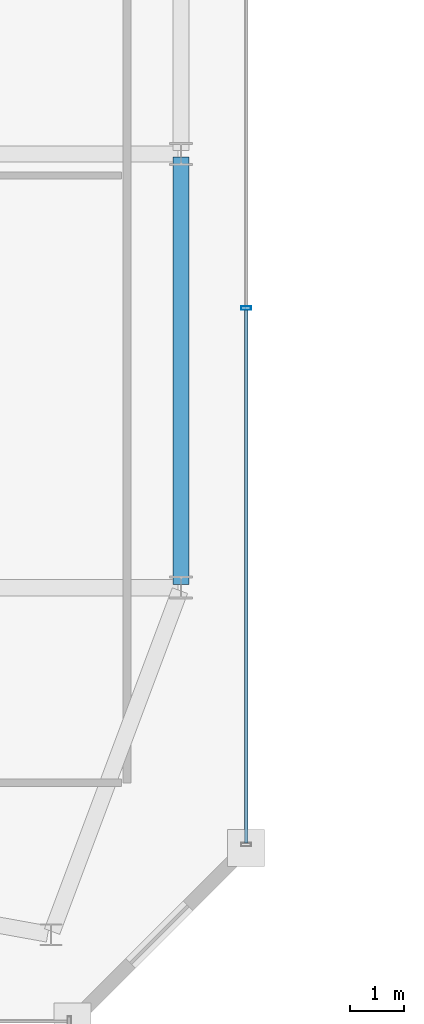
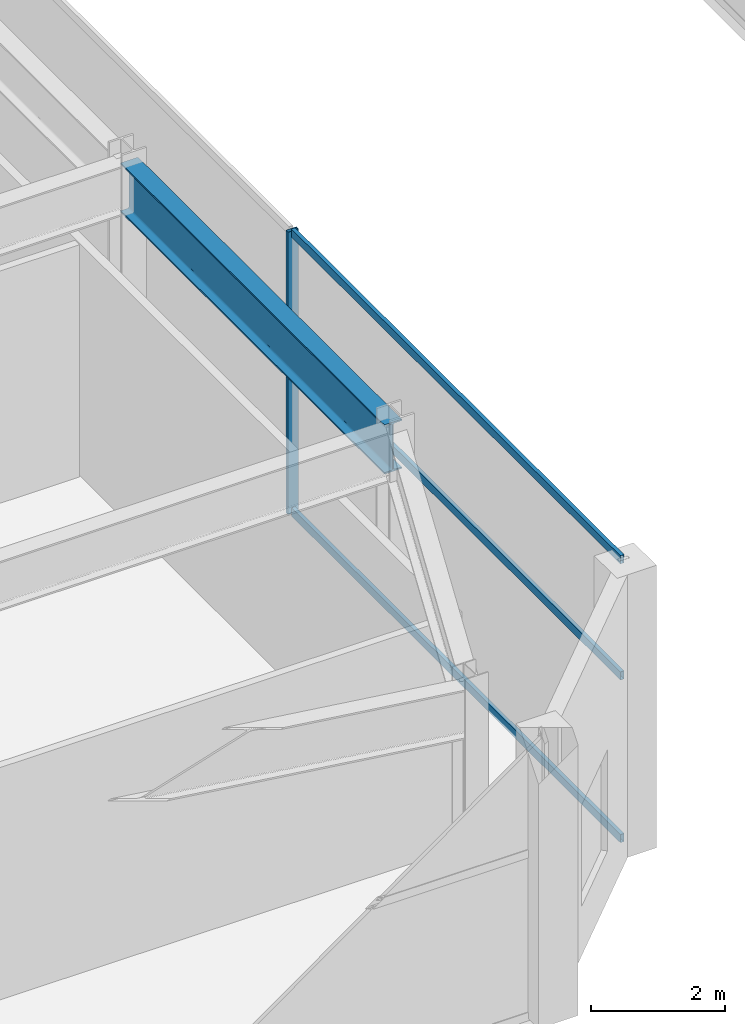
# One storey, part 18 of 53: 4 members, 1 beam, 1 element without a shape of its own.
"""IFC4 building model written with IfcOpenShell, lengths in metres."""

from ifc_helpers import new_model, si_unit, direction, frame, origin, origin_2d, place, context, subcontext, project, spatial, hollow_rectangle, i_section, extrude, material, material_profile, profile_set, type_object, element, aggregate, save


model = new_model("IFC4")

# Units and contexts
model_context = context("Model", 3, precision=1e-05, world=origin(), true_north=direction((0.0, 1.0)))
body_context = subcontext(model_context, "Body", "Model", "MODEL_VIEW")
ifc_project = project(units=[si_unit("LENGTHUNIT", "METRE"), si_unit("AREAUNIT", "SQUARE_METRE"), si_unit("VOLUMEUNIT", "CUBIC_METRE"), si_unit("PLANEANGLEUNIT", "RADIAN"), si_unit("MASSUNIT", "GRAM", prefix="KILO")], contexts=[model_context])

# Site, building, storey
site_placement = place(None, origin())
site = spatial("IfcSite", under=ifc_project, at=site_placement, CompositionType="ELEMENT")
building_placement = place(site_placement, origin())
building = spatial("IfcBuilding", under=site, at=building_placement, Name="Saevonmaru Cultural Tower", CompositionType="ELEMENT")
storey_placement = place(building_placement, frame((0.0, 0.0, 22.199951171875)))
storey = spatial("IfcBuildingStorey", under=building, at=storey_placement, Name="L04", CompositionType="ELEMENT", Elevation=22.199951171875)

# Beam
ifc_material_1 = material(Name="Steel SM420", Category="steel")
ifc_material_profile_1 = material_profile(ifc_material_1, i_section(OverallWidth=0.300048828125, OverallDepth=0.89990234375, WebThickness=0.01611328125, FlangeThickness=0.028076171875, FilletRadius=0.028076171875, at=origin_2d()), Name="H-900x300x16x28")
ifc_profile_set_1 = profile_set([ifc_material_profile_1], Name="Steel SM420")
beam_type = type_object("IfcBeamType", Name="BM-G-H900", PredefinedType="BEAM", material=ifc_profile_set_1)
beam_placement = place(storey_placement, frame((58.800048828125, 8.06005859375, 4.699951171875), z_axis=(0.0, 1.0, 0.0), x_axis=(-1.0, 0.0, 0.0)))
element("IfcBeam", 1, at=beam_placement, inside=storey, type_object=beam_type, Name="BM-POD-PE-1-L04", PredefinedType="BEAM", context=body_context, shape_type="SweptSolid", body=[
    extrude(i_section(OverallWidth=0.300048828125, OverallDepth=0.89990234375, WebThickness=0.01611328125, FlangeThickness=0.028076171875, FilletRadius=0.028076171875, at=origin_2d()), origin(), (0.0, 0.0, 1.0), 7.8798828125),
])

# Curtain wall, members
ifc_material_2 = material(Name="Satin Bronze Anodised Aluminium", Category="aluminium")
curtain_wall_type = type_object("IfcCurtainWallType", Name="CW-POD-GLZ", PredefinedType="NOTDEFINED", material=ifc_material_2)
curtain_wall_placement = place(storey_placement, origin())
curtain_wall = element("IfcCurtainWall", 2, at=curtain_wall_placement, inside=storey, type_object=curtain_wall_type, Name="L04 Saevon Plaza Curtain Wall", PredefinedType="NOTDEFINED")
ifc_material_profile_2 = material_profile(ifc_material_2, hollow_rectangle(XDim=0.06494140625, YDim=0.179931640625, WallThickness=0.00390625, at=origin_2d()), Name="ALU-MULL-180x65x4")
ifc_profile_set_2 = profile_set([ifc_material_profile_2], Name="Satin Bronze Anodised Aluminium")
member_type_1 = type_object("IfcMemberType", Name="ML-CW-180x65", PredefinedType="MULLION", material=ifc_profile_set_2)
member_1_placement = place(storey_placement, frame((60.0, 13.156005859375, 0.0), z_axis=(0.0, 0.0, 1.0), x_axis=(0.0, 1.0, 0.0)))
member_1 = element("IfcMember", 3, at=member_1_placement, type_object=member_type_1, Name="CW-POD-E-L04 mullion 2", PredefinedType="MULLION", context=body_context, shape_type="SweptSolid", body=[
    extrude(hollow_rectangle(XDim=0.06494140625, YDim=0.179931640625, WallThickness=0.00390625, at=origin_2d()), origin(), (0.0, 0.0, 1.0), 5.150146484375),
])
ifc_material_profile_3 = material_profile(ifc_material_2, hollow_rectangle(XDim=0.06494140625, YDim=0.14990234375, WallThickness=0.00390625, at=origin_2d()), Name="ALU-TRAN-150x65x4")
ifc_profile_set_3 = profile_set([ifc_material_profile_3], Name="Satin Bronze Anodised Aluminium")
member_type_2 = type_object("IfcMemberType", Name="TR-CW-150x65", PredefinedType="USERDEFINED", material=ifc_profile_set_3)
member_2_placement = place(storey_placement, frame((60.0, 3.29248046875, 0.032470703125), z_axis=(0.0, 1.0, 0.0), x_axis=(-1.0, 0.0, 0.0)))
member_2 = element("IfcMember", 4, at=member_2_placement, type_object=member_type_2, Name="CW-POD-E-L04 transom 1.1", ObjectType="TRANSOM", PredefinedType="USERDEFINED", context=body_context, shape_type="SweptSolid", body=[
    extrude(hollow_rectangle(XDim=0.06494140625, YDim=0.14990234375, WallThickness=0.00390625, at=origin_2d()), origin(), (0.0, 0.0, 1.0), 9.8310546875),
])
member_3_placement = place(storey_placement, frame((60.0, 3.29248046875, 3.0), z_axis=(0.0, 1.0, 0.0), x_axis=(-1.0, 0.0, 0.0)))
member_3 = element("IfcMember", 5, at=member_3_placement, type_object=member_type_2, Name="CW-POD-E-L04 transom 1.2", ObjectType="TRANSOM", PredefinedType="USERDEFINED", context=body_context, shape_type="SweptSolid", body=[
    extrude(hollow_rectangle(XDim=0.06494140625, YDim=0.14990234375, WallThickness=0.00390625, at=origin_2d()), origin(), (0.0, 0.0, 1.0), 9.8310546875),
])
member_4_placement = place(storey_placement, frame((60.0, 3.29248046875, 5.117431640625), z_axis=(0.0, 1.0, 0.0), x_axis=(-1.0, 0.0, 0.0)))
member_4 = element("IfcMember", 6, at=member_4_placement, type_object=member_type_2, Name="CW-POD-E-L04 transom 1.3", ObjectType="TRANSOM", PredefinedType="USERDEFINED", context=body_context, shape_type="SweptSolid", body=[
    extrude(hollow_rectangle(XDim=0.06494140625, YDim=0.14990234375, WallThickness=0.00390625, at=origin_2d()), origin(), (0.0, 0.0, 1.0), 9.8310546875),
])
aggregate(curtain_wall, [member_1, member_2, member_3, member_4])

save(model, "model.ifc")
